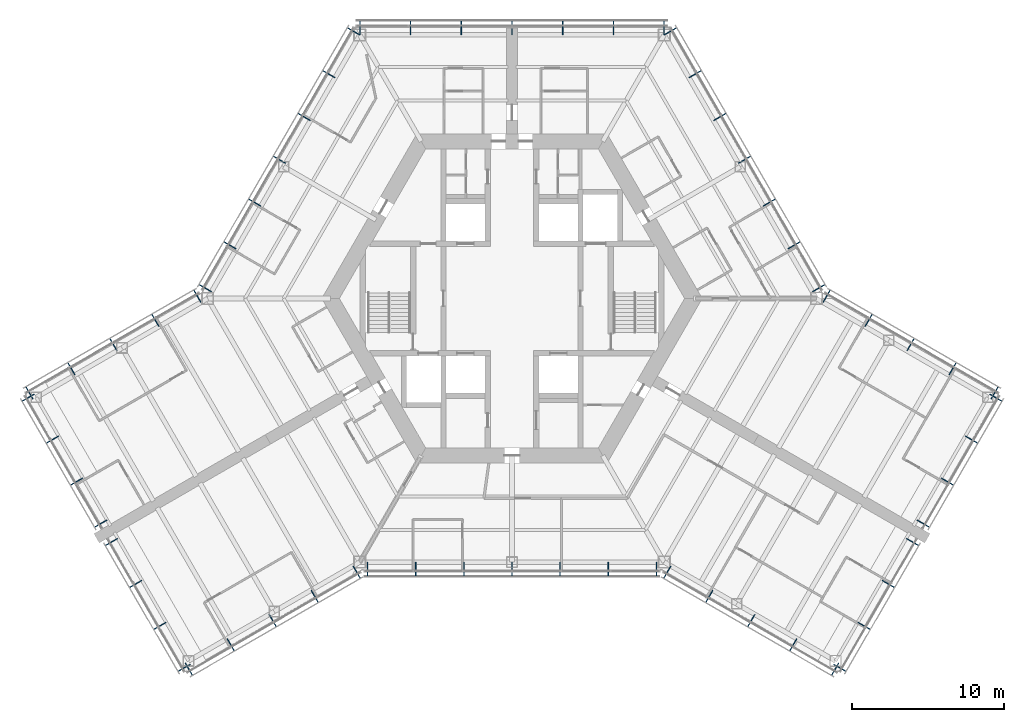
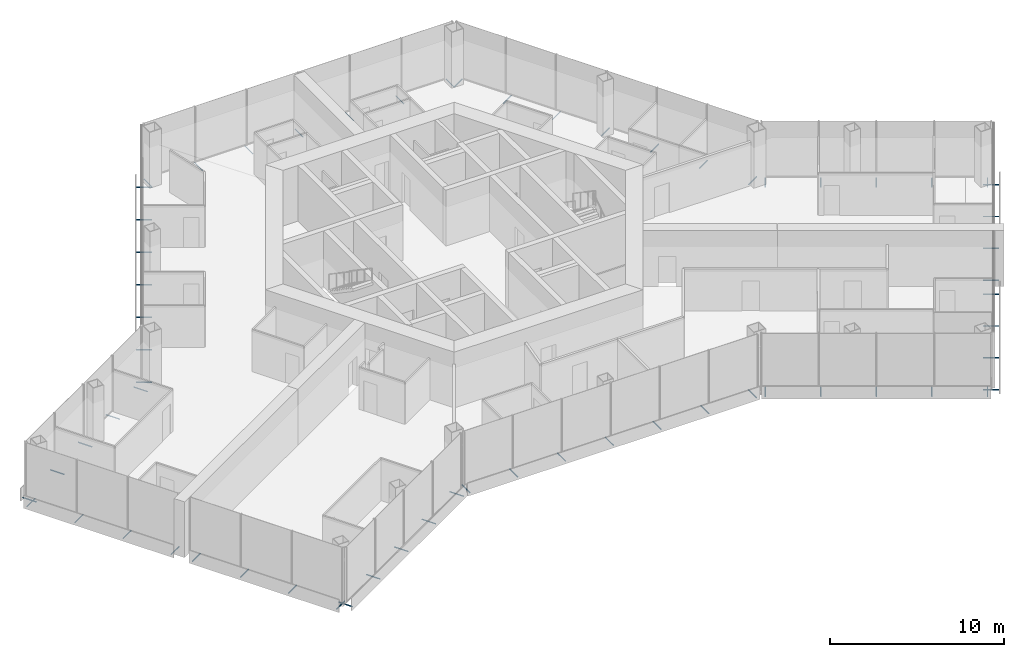
# One storey, part 16 of 18: 64 discrete accessories.
"""IFC4 building model written with IfcOpenShell, lengths in metres."""

import ifcopenshell
import ifcopenshell.guid

model = None  # the IFC model being written
_history = None  # IfcOwnerHistory: only IFC2X3 demands one
_inside = {}  # id of a spatial element -> (the spatial element, [elements in it])
_under = {}  # id of a project, library or spatial element -> (it, [spatial elements below it])
_declared = {}  # id of a project -> (the project, [libraries it declares])
_typed = {}  # id of a type object -> (the type object, [elements of that type])
_made_of = {}  # id of a material, layer set ... -> (it, [elements and type objects made of it])


def new_model(schema):
    """Start an empty IFC model of exactly this schema.

    Asked for "IFC4X3", IfcOpenShell would pick the latest addendum, in which some entities
    have other attributes; the version numbers below select the first issue.
    IFC2X3 requires an IfcOwnerHistory on every rooted entity: one is made here for all.
    """
    global model, _history
    if schema == "IFC4X3":
        model = ifcopenshell.file(schema_version=(4, 3, 0, 0))
    else:
        model = ifcopenshell.file(schema=schema)
    _inside.clear()
    _under.clear()
    _declared.clear()
    _typed.clear()
    _made_of.clear()
    _history = None
    if model.schema == "IFC2X3":
        org = make("IfcOrganization", Name="unknown")
        user = make(
            "IfcPersonAndOrganization",
            ThePerson=make("IfcPerson", FamilyName="unknown"),
            TheOrganization=org,
        )
        app = make(
            "IfcApplication",
            ApplicationDeveloper=org,
            Version="unknown",
            ApplicationFullName="unknown",
            ApplicationIdentifier="unknown",
        )
        _history = make(
            "IfcOwnerHistory",
            OwningUser=user,
            OwningApplication=app,
            ChangeAction="ADDED",
            CreationDate=0,
        )
    return model


def make(cls, **values):
    """One entity of the class cls with the attributes given. An attribute that is None is left unset."""
    return model.create_entity(
        cls, **{name: value for name, value in values.items() if value is not None}
    )


def rooted(cls, **values):
    """An entity with a GlobalId (a new one), such as an element, a storey or a relation."""
    return make(cls, GlobalId=ifcopenshell.guid.new(), OwnerHistory=_history, **values)


def si_unit(unit_type, name, prefix=None):
    """IfcSIUnit, for example si_unit("LENGTHUNIT", "METRE", prefix="MILLI")."""
    return make("IfcSIUnit", UnitType=unit_type, Prefix=prefix, Name=name)


def assignment(units):
    """IfcUnitAssignment: the units of a project."""
    return None if units is None else make("IfcUnitAssignment", Units=units)


def point(xyz):
    """IfcCartesianPoint."""
    return None if xyz is None else make("IfcCartesianPoint", Coordinates=xyz)


def direction(xyz):
    """IfcDirection."""
    return None if xyz is None else make("IfcDirection", DirectionRatios=xyz)


def frame(location, z_axis=None, x_axis=None):
    """IfcAxis2Placement3D, a coordinate frame: its origin and axes. An axis left out is left unset."""
    return make(
        "IfcAxis2Placement3D",
        Location=point(location),
        Axis=direction(z_axis),
        RefDirection=direction(x_axis),
    )


def frame_2d(location, x_axis=None):
    """IfcAxis2Placement2D, a coordinate frame in the plane: its origin and x axis."""
    return make(
        "IfcAxis2Placement2D", Location=point(location), RefDirection=direction(x_axis)
    )


def origin():
    """The frame at (0, 0, 0) with its axes left unset."""
    return frame((0.0, 0.0, 0.0))


def origin_2d():
    """The frame at (0, 0) in the plane with its x axis left unset."""
    return frame_2d((0.0, 0.0))


def place(relative_to, where):
    """IfcLocalPlacement: puts the frame where relative to a parent placement (None: the world)."""
    return make(
        "IfcLocalPlacement", PlacementRelTo=relative_to, RelativePlacement=where
    )


def context(
    kind, dimensions, precision=None, world=None, true_north=None, identifier=None
):
    """IfcGeometricRepresentationContext, for example the 3D "Model" context."""
    return make(
        "IfcGeometricRepresentationContext",
        ContextIdentifier=identifier,
        ContextType=kind,
        CoordinateSpaceDimension=dimensions,
        Precision=precision,
        WorldCoordinateSystem=world,
        TrueNorth=true_north,
    )


def subcontext(parent, identifier, kind, view, scale=None):
    """IfcGeometricRepresentationSubContext, for example "Body" below "Model"."""
    return make(
        "IfcGeometricRepresentationSubContext",
        ContextIdentifier=identifier,
        ContextType=kind,
        ParentContext=parent,
        TargetScale=scale,
        TargetView=view,
    )


def project(units=None, contexts=None):
    """IfcProject with its units and contexts."""
    return rooted(
        "IfcProject",
        Name="project",
        RepresentationContexts=contexts,
        UnitsInContext=assignment(units),
    )


def spatial(cls, under=None, at=None, **own):
    """A site, building, storey or space (cls), placed at a placement, below another one or the project."""
    s = rooted(cls, ObjectPlacement=at, **own)
    if under is not None:
        _under.setdefault(under.id(), (under, []))[1].append(s)
    return s


def profile(cls, at=None, kind="AREA", **sizes):
    """A parametric profile (cls). Its sizes go by their IFC names, for example OverallWidth=200.0."""
    return make(cls, ProfileType=kind, Position=at, **sizes)


def hollow_circle(**sizes):
    """IfcCircleHollowProfileDef."""
    return profile("IfcCircleHollowProfileDef", **sizes)


def extrude(swept, where, along, depth):
    """IfcExtrudedAreaSolid: the profile swept, set in the frame where, extruded along a direction by depth."""
    return make(
        "IfcExtrudedAreaSolid",
        SweptArea=swept,
        Position=where,
        ExtrudedDirection=direction(along),
        Depth=depth,
    )


def shape(context_of_items, identifier, shape_type, items):
    """IfcShapeRepresentation: the items that make up one representation, for example the "Body"."""
    return make(
        "IfcShapeRepresentation",
        ContextOfItems=context_of_items,
        RepresentationIdentifier=identifier,
        RepresentationType=shape_type,
        Items=items,
    )


def material(Name=None, Category=None):
    """IfcMaterial."""
    return make("IfcMaterial", Name=Name, Category=Category)


def material_profile(
    of_material, cross_section, Name=None, Category=None, Priority=None
):
    """IfcMaterialProfile: a cross section and its material."""
    return make(
        "IfcMaterialProfile",
        Name=Name,
        Material=of_material,
        Profile=cross_section,
        Priority=Priority,
        Category=Category,
    )


def profile_set(profiles, Name=None, composite=None):
    """IfcMaterialProfileSet."""
    return make(
        "IfcMaterialProfileSet",
        Name=Name,
        MaterialProfiles=profiles,
        CompositeProfile=composite,
    )


def made_of(thing, what):
    """Note that an element or type object is made of a material, layer set ...; save() writes the relation."""
    if what is not None:
        _made_of.setdefault(what.id(), (what, []))[1].append(thing)
    return thing


def type_object(cls, material=None, **own):
    """A type object (cls), such as IfcWallType, which elements share."""
    return made_of(rooted(cls, **own), material)


def element(
    cls,
    number,
    at=None,
    inside=None,
    cuts=None,
    type_object=None,
    material=None,
    context=None,
    identifier="Body",
    shape_type=None,
    held_by="IfcProductDefinitionShape",
    body=None,
    shapes=None,
    **own,
):
    """One element of the class cls, such as IfcWall. Its Tag is "e" and its number.

    at: its placement. inside: the storey or other place that contains it. cuts: it is an
    opening in that element (IfcRelVoidsElement). A single representation is given by context,
    identifier, shape_type and body (its items); several are given by shapes. held_by: the class
    of the entity that holds the representations. save() writes the other relations.
    """
    e = rooted(cls, Tag="e%d" % number, ObjectPlacement=at, **own)
    if body is not None:
        shapes = [shape(context, identifier, shape_type, body)]
    if shapes is not None:
        e.Representation = make(held_by, Representations=shapes)
    if inside is not None:
        _inside.setdefault(inside.id(), (inside, []))[1].append(e)
    if cuts is not None:
        rooted(
            "IfcRelVoidsElement", RelatingBuildingElement=cuts, RelatedOpeningElement=e
        )
    if type_object is not None:
        _typed.setdefault(type_object.id(), (type_object, []))[1].append(e)
    return made_of(e, material)


def aggregate(whole, parts):
    """IfcRelAggregates: a whole, such as a stair, and the parts it consists of."""
    return rooted("IfcRelAggregates", RelatingObject=whole, RelatedObjects=parts)


def save(model, path):
    """Write the relations noted so far, then the file.

    IfcRelAggregates (storeys below a building ...), IfcRelContainedInSpatialStructure (elements
    in a storey), IfcRelDefinesByType, IfcRelAssociatesMaterial and IfcRelDeclares: one each for
    every whole, place, type object, material and project.
    """
    for whole, parts in _under.values():
        aggregate(whole, parts)
    for where, things in _inside.values():
        rooted(
            "IfcRelContainedInSpatialStructure",
            RelatedElements=things,
            RelatingStructure=where,
        )
    for kind, things in _typed.values():
        rooted("IfcRelDefinesByType", RelatedObjects=things, RelatingType=kind)
    for what, things in _made_of.values():
        rooted("IfcRelAssociatesMaterial", RelatedObjects=things, RelatingMaterial=what)
    for by, libraries in _declared.values():
        rooted("IfcRelDeclares", RelatingContext=by, RelatedDefinitions=libraries)
    model.write(path)


model = new_model("IFC4")

# Units and contexts
model_context = context("Model", 3, precision=1e-05, world=origin(), true_north=direction((0.0, 1.0)))
body_context = subcontext(model_context, "Body", "Model", "MODEL_VIEW")
ifc_project = project(units=[si_unit("LENGTHUNIT", "METRE"), si_unit("AREAUNIT", "SQUARE_METRE"), si_unit("VOLUMEUNIT", "CUBIC_METRE"), si_unit("PLANEANGLEUNIT", "RADIAN"), si_unit("MASSUNIT", "GRAM", prefix="KILO")], contexts=[model_context])

# Site, building, storey
site_placement = place(None, origin())
site = spatial("IfcSite", under=ifc_project, at=site_placement, CompositionType="ELEMENT")
building_placement = place(site_placement, origin())
building = spatial("IfcBuilding", under=site, at=building_placement, Name="Kasaneha Research Tower", CompositionType="ELEMENT")
storey_placement = place(building_placement, frame((0.0, 0.0, 176.0)))
storey = spatial("IfcBuildingStorey", under=building, at=storey_placement, Name="L44", CompositionType="ELEMENT", Elevation=176.0)

# Discrete accessories
ifc_material = material(Name="Steel STK400", Category="steel")
ifc_material_profile = material_profile(ifc_material, hollow_circle(Radius=0.0380859375, WallThickness=0.00390625, at=origin_2d()), Name="CHS-76.3x4.0")
ifc_profile_set = profile_set([ifc_material_profile], Name="Steel STK400")
discrete_accessory_type = type_object("IfcDiscreteAccessoryType", Name="Screen bracket CHS-76.3x4.0", PredefinedType="BRACKET", material=ifc_profile_set)
for number, where, z_axis, x_axis, name in (
    (1, (-9.4892578125, -17.320556640625, -0.300048828125), (0.0, -1.0, 0.0), (1.0, 0.0, 0.0), "Screen bracket 1"),
    (2, (-6.326171875, -17.320556640625, -0.300048828125), (0.0, -1.0, 0.0), (1.0, 0.0, 0.0), "Screen bracket 2"),
    (3, (-3.1630859375, -17.320556640625, -0.300048828125), (0.0, -1.0, 0.0), (1.0, 0.0, 0.0), "Screen bracket 3"),
    (4, (0.0, -17.320556640625, -0.300048828125), (0.0, -1.0, 0.0), (1.0, 0.0, 0.0), "Screen bracket 4"),
    (5, (3.1630859375, -17.320556640625, -0.300048828125), (0.0, -1.0, 0.0), (1.0, 0.0, 0.0), "Screen bracket 5"),
    (6, (6.326171875, -17.320556640625, -0.300048828125), (0.0, -1.0, 0.0), (1.0, 0.0, 0.0), "Screen bracket 6"),
    (7, (9.4892578125, -17.320556640625, -0.300048828125), (0.0, -1.0, 0.0), (1.0, 0.0, 0.0), "Screen bracket 7"),
    (8, (10.4423828125, -17.575927734375, -0.300048828125), (-0.500021113727, -0.866013213425, 0.0), (0.866013213425, -0.500021113727, 0.0), "Screen bracket 1"),
):
    element("IfcDiscreteAccessory", number, at=place(storey_placement, frame(where, z_axis=z_axis, x_axis=x_axis)), inside=storey, type_object=discrete_accessory_type, Name=name, PredefinedType="BRACKET", context=body_context, shape_type="SweptSolid", body=[
        extrude(hollow_circle(Radius=0.0380859375, WallThickness=0.00390625, at=origin_2d()), origin(), (0.0, 0.0, 1.0), 0.919921875),
    ])
discrete_accessory_1_placement = place(storey_placement, frame((13.200439453125, -19.168212890625, -0.300048828125), z_axis=(-0.499906209203, -0.866079547155, 0.0), x_axis=(0.866079547155, -0.499906209203, 0.0)))
element("IfcDiscreteAccessory", 9, at=discrete_accessory_1_placement, inside=storey, type_object=discrete_accessory_type, Name="Screen bracket 2", PredefinedType="BRACKET", context=body_context, shape_type="SweptSolid", body=[
    extrude(hollow_circle(Radius=0.0380859375, WallThickness=0.00390625, at=origin_2d()), origin(), (0.0, 0.0, 1.0), 0.920166015625),
])
discrete_accessory_2_placement = place(storey_placement, frame((15.95849609375, -20.7607421875, -0.300048828125), z_axis=(-0.500021113727, -0.866013213425, 0.0), x_axis=(0.866013213425, -0.500021113727, 0.0)))
element("IfcDiscreteAccessory", 10, at=discrete_accessory_2_placement, inside=storey, type_object=discrete_accessory_type, Name="Screen bracket 3", PredefinedType="BRACKET", context=body_context, shape_type="SweptSolid", body=[
    extrude(hollow_circle(Radius=0.0380859375, WallThickness=0.00390625, at=origin_2d()), origin(), (0.0, 0.0, 1.0), 0.919921875),
])
discrete_accessory_3_placement = place(storey_placement, frame((18.716796875, -22.35302734375, -0.300048828125), z_axis=(-0.500105201737, -0.865964657013, 0.0), x_axis=(0.865964657013, -0.500105201737, 0.0)))
element("IfcDiscreteAccessory", 11, at=discrete_accessory_3_placement, inside=storey, type_object=discrete_accessory_type, Name="Screen bracket 4", PredefinedType="BRACKET", context=body_context, shape_type="SweptSolid", body=[
    extrude(hollow_circle(Radius=0.0380859375, WallThickness=0.00390625, at=origin_2d()), origin(), (0.0, 0.0, 1.0), 0.920166015625),
])
discrete_accessory_4_placement = place(storey_placement, frame((21.474853515625, -23.945556640625, -0.300048828125), z_axis=(-0.500021113727, -0.866013213425, 0.0), x_axis=(0.866013213425, -0.500021113727, 0.0)))
element("IfcDiscreteAccessory", 12, at=discrete_accessory_4_placement, inside=storey, type_object=discrete_accessory_type, Name="Screen bracket 5", PredefinedType="BRACKET", context=body_context, shape_type="SweptSolid", body=[
    extrude(hollow_circle(Radius=0.0380859375, WallThickness=0.00390625, at=origin_2d()), origin(), (0.0, 0.0, 1.0), 0.919921875),
])
discrete_accessory_5_placement = place(storey_placement, frame((21.13330078125, -24.037109375, -0.300048828125), z_axis=(0.866079547155, -0.499906209203, 0.0), x_axis=(0.499906209203, 0.866079547155, 0.0)))
element("IfcDiscreteAccessory", 13, at=discrete_accessory_5_placement, inside=storey, type_object=discrete_accessory_type, Name="Screen bracket 1", PredefinedType="BRACKET", context=body_context, shape_type="SweptSolid", body=[
    extrude(hollow_circle(Radius=0.0380859375, WallThickness=0.00390625, at=origin_2d()), origin(), (0.0, 0.0, 1.0), 0.920166015625),
])
discrete_accessory_6_placement = place(storey_placement, frame((22.72509765625, -21.2802734375, -0.300048828125), z_axis=(0.866013213425, -0.500021113727, 0.0), x_axis=(0.500021113727, 0.866013213425, 0.0)))
element("IfcDiscreteAccessory", 14, at=discrete_accessory_6_placement, inside=storey, type_object=discrete_accessory_type, Name="Screen bracket 2", PredefinedType="BRACKET", context=body_context, shape_type="SweptSolid", body=[
    extrude(hollow_circle(Radius=0.0380859375, WallThickness=0.00390625, at=origin_2d()), origin(), (0.0, 0.0, 1.0), 0.919921875),
])
discrete_accessory_7_placement = place(storey_placement, frame((24.316650390625, -18.5234375, -0.300048828125), z_axis=(0.866079547155, -0.499906209203, 0.0), x_axis=(0.499906209203, 0.866079547155, 0.0)))
element("IfcDiscreteAccessory", 15, at=discrete_accessory_7_placement, inside=storey, type_object=discrete_accessory_type, Name="Screen bracket 3", PredefinedType="BRACKET", context=body_context, shape_type="SweptSolid", body=[
    extrude(hollow_circle(Radius=0.0380859375, WallThickness=0.00390625, at=origin_2d()), origin(), (0.0, 0.0, 1.0), 0.920166015625),
])
for number, where, z_axis, x_axis, name in (
    (16, (25.908447265625, -15.766357421875, -0.300048828125), (0.865898279276, -0.500220121494, 0.0), (0.500220121494, 0.865898279276, 0.0), "Screen bracket 4"),
    (17, (26.6083984375, -14.553955078125, -0.300048828125), (0.866013213425, -0.500021113727, 0.0), (0.500021113727, 0.866013213425, 0.0), "Screen bracket 1"),
):
    element("IfcDiscreteAccessory", number, at=place(storey_placement, frame(where, z_axis=z_axis, x_axis=x_axis)), inside=storey, type_object=discrete_accessory_type, Name=name, PredefinedType="BRACKET", context=body_context, shape_type="SweptSolid", body=[
        extrude(hollow_circle(Radius=0.0380859375, WallThickness=0.00390625, at=origin_2d()), origin(), (0.0, 0.0, 1.0), 0.919921875),
    ])
discrete_accessory_8_placement = place(storey_placement, frame((28.199951171875, -11.797119140625, -0.300048828125), z_axis=(0.866079547155, -0.499906209203, 0.0), x_axis=(0.499906209203, 0.866079547155, 0.0)))
element("IfcDiscreteAccessory", 18, at=discrete_accessory_8_placement, inside=storey, type_object=discrete_accessory_type, Name="Screen bracket 2", PredefinedType="BRACKET", context=body_context, shape_type="SweptSolid", body=[
    extrude(hollow_circle(Radius=0.0380859375, WallThickness=0.00390625, at=origin_2d()), origin(), (0.0, 0.0, 1.0), 0.920166015625),
])
discrete_accessory_9_placement = place(storey_placement, frame((29.791748046875, -9.040283203125, -0.300048828125), z_axis=(0.866013213425, -0.500021113727, 0.0), x_axis=(0.500021113727, 0.866013213425, 0.0)))
element("IfcDiscreteAccessory", 19, at=discrete_accessory_9_placement, inside=storey, type_object=discrete_accessory_type, Name="Screen bracket 3", PredefinedType="BRACKET", context=body_context, shape_type="SweptSolid", body=[
    extrude(hollow_circle(Radius=0.0380859375, WallThickness=0.00390625, at=origin_2d()), origin(), (0.0, 0.0, 1.0), 0.919921875),
])
discrete_accessory_10_placement = place(storey_placement, frame((31.38330078125, -6.283447265625, -0.300048828125), z_axis=(0.866079547155, -0.499906209203, 0.0), x_axis=(0.499906209203, 0.866079547155, 0.0)))
element("IfcDiscreteAccessory", 20, at=discrete_accessory_10_placement, inside=storey, type_object=discrete_accessory_type, Name="Screen bracket 4", PredefinedType="BRACKET", context=body_context, shape_type="SweptSolid", body=[
    extrude(hollow_circle(Radius=0.0380859375, WallThickness=0.00390625, at=origin_2d()), origin(), (0.0, 0.0, 1.0), 0.920166015625),
])
discrete_accessory_11_placement = place(storey_placement, frame((31.474853515625, -6.625, -0.300048828125), z_axis=(0.500021113727, 0.866013213425, 0.0), x_axis=(-0.866013213425, 0.500021113727, 0.0)))
element("IfcDiscreteAccessory", 21, at=discrete_accessory_11_placement, inside=storey, type_object=discrete_accessory_type, Name="Screen bracket 1", PredefinedType="BRACKET", context=body_context, shape_type="SweptSolid", body=[
    extrude(hollow_circle(Radius=0.0380859375, WallThickness=0.00390625, at=origin_2d()), origin(), (0.0, 0.0, 1.0), 0.919921875),
])
discrete_accessory_12_placement = place(storey_placement, frame((28.716796875, -5.03271484375, -0.300048828125), z_axis=(0.499906209203, 0.866079547155, 0.0), x_axis=(-0.866079547155, 0.499906209203, 0.0)))
element("IfcDiscreteAccessory", 22, at=discrete_accessory_12_placement, inside=storey, type_object=discrete_accessory_type, Name="Screen bracket 2", PredefinedType="BRACKET", context=body_context, shape_type="SweptSolid", body=[
    extrude(hollow_circle(Radius=0.0380859375, WallThickness=0.00390625, at=origin_2d()), origin(), (0.0, 0.0, 1.0), 0.920166015625),
])
discrete_accessory_13_placement = place(storey_placement, frame((25.95849609375, -3.440185546875, -0.300048828125), z_axis=(0.500220121494, 0.865898279276, 0.0), x_axis=(-0.865898279276, 0.500220121494, 0.0)))
element("IfcDiscreteAccessory", 23, at=discrete_accessory_13_placement, inside=storey, type_object=discrete_accessory_type, Name="Screen bracket 3", PredefinedType="BRACKET", context=body_context, shape_type="SweptSolid", body=[
    extrude(hollow_circle(Radius=0.0380859375, WallThickness=0.00390625, at=origin_2d()), origin(), (0.0, 0.0, 1.0), 0.919921875),
])
discrete_accessory_14_placement = place(storey_placement, frame((23.200439453125, -1.847900390625, -0.300048828125), z_axis=(0.499906209203, 0.866079547155, 0.0), x_axis=(-0.866079547155, 0.499906209203, 0.0)))
element("IfcDiscreteAccessory", 24, at=discrete_accessory_14_placement, inside=storey, type_object=discrete_accessory_type, Name="Screen bracket 4", PredefinedType="BRACKET", context=body_context, shape_type="SweptSolid", body=[
    extrude(hollow_circle(Radius=0.0380859375, WallThickness=0.00390625, at=origin_2d()), origin(), (0.0, 0.0, 1.0), 0.920166015625),
])
for number, where, z_axis, x_axis, name in (
    (25, (20.4423828125, -0.25537109375, -0.300048828125), (0.500021113727, 0.866013213425, 0.0), (-0.866013213425, 0.500021113727, 0.0), "Screen bracket 5"),
    (26, (19.74462890625, 0.4423828125, -0.300048828125), (0.866013213425, 0.500021113727, 0.0), (-0.500021113727, 0.866013213425, 0.0), "Screen bracket 1"),
    (27, (18.120849609375, 3.2548828125, -0.300048828125), (0.866013213425, 0.500021113727, 0.0), (-0.500021113727, 0.866013213425, 0.0), "Screen bracket 2"),
    (28, (16.4970703125, 6.0673828125, -0.300048828125), (0.866013213425, 0.500021113727, 0.0), (-0.500021113727, 0.866013213425, 0.0), "Screen bracket 3"),
    (29, (14.873291015625, 8.8798828125, -0.300048828125), (0.866013213425, 0.500021113727, 0.0), (-0.500021113727, 0.866013213425, 0.0), "Screen bracket 4"),
    (30, (13.24951171875, 11.6923828125, -0.300048828125), (0.866013213425, 0.500021113727, 0.0), (-0.500021113727, 0.866013213425, 0.0), "Screen bracket 5"),
):
    element("IfcDiscreteAccessory", number, at=place(storey_placement, frame(where, z_axis=z_axis, x_axis=x_axis)), inside=storey, type_object=discrete_accessory_type, Name=name, PredefinedType="BRACKET", context=body_context, shape_type="SweptSolid", body=[
        extrude(hollow_circle(Radius=0.0380859375, WallThickness=0.00390625, at=origin_2d()), origin(), (0.0, 0.0, 1.0), 0.919921875),
    ])
for number, where, z_axis, x_axis, name in (
    (31, (11.62548828125, 14.5048828125, -0.300048828125), (0.866079547155, 0.499906209203, 0.0), (-0.499906209203, 0.866079547155, 0.0), "Screen bracket 6"),
    (32, (10.001708984375, 17.3173828125, -0.300048828125), (0.866079547155, 0.499906209203, 0.0), (-0.499906209203, 0.866079547155, 0.0), "Screen bracket 7"),
):
    element("IfcDiscreteAccessory", number, at=place(storey_placement, frame(where, z_axis=z_axis, x_axis=x_axis)), inside=storey, type_object=discrete_accessory_type, Name=name, PredefinedType="BRACKET", context=body_context, shape_type="SweptSolid", body=[
        extrude(hollow_circle(Radius=0.0380859375, WallThickness=0.00390625, at=origin_2d()), origin(), (0.0, 0.0, 1.0), 0.920166015625),
    ])
for number, where, z_axis, x_axis, name in (
    (33, (9.996337890625, 17.320556640625, -0.300048828125), (0.0, 1.0, 0.0), (-1.0, 0.0, 0.0), "Screen bracket 1"),
    (34, (6.664306640625, 17.320556640625, -0.300048828125), (0.0, 1.0, 0.0), (-1.0, 0.0, 0.0), "Screen bracket 2"),
    (35, (3.33203125, 17.320556640625, -0.300048828125), (0.0, 1.0, 0.0), (-1.0, 0.0, 0.0), "Screen bracket 3"),
    (36, (0.0, 17.320556640625, -0.300048828125), (0.0, 1.0, 0.0), (-1.0, 0.0, 0.0), "Screen bracket 4"),
    (37, (-3.33203125, 17.320556640625, -0.300048828125), (0.0, 1.0, 0.0), (-1.0, 0.0, 0.0), "Screen bracket 5"),
    (38, (-6.664306640625, 17.320556640625, -0.300048828125), (0.0, 1.0, 0.0), (-1.0, 0.0, 0.0), "Screen bracket 6"),
    (39, (-9.996337890625, 17.320556640625, -0.300048828125), (0.0, 1.0, 0.0), (-1.0, 0.0, 0.0), "Screen bracket 7"),
):
    element("IfcDiscreteAccessory", number, at=place(storey_placement, frame(where, z_axis=z_axis, x_axis=x_axis)), inside=storey, type_object=discrete_accessory_type, Name=name, PredefinedType="BRACKET", context=body_context, shape_type="SweptSolid", body=[
        extrude(hollow_circle(Radius=0.0380859375, WallThickness=0.00390625, at=origin_2d()), origin(), (0.0, 0.0, 1.0), 0.919921875),
    ])
for number, where, z_axis, x_axis, name in (
    (40, (-10.001708984375, 17.3173828125, -0.300048828125), (-0.866079547155, 0.499906209203, 0.0), (-0.499906209203, -0.866079547155, 0.0), "Screen bracket 1"),
    (41, (-11.62548828125, 14.5048828125, -0.300048828125), (-0.866079547155, 0.499906209203, 0.0), (-0.499906209203, -0.866079547155, 0.0), "Screen bracket 2"),
):
    element("IfcDiscreteAccessory", number, at=place(storey_placement, frame(where, z_axis=z_axis, x_axis=x_axis)), inside=storey, type_object=discrete_accessory_type, Name=name, PredefinedType="BRACKET", context=body_context, shape_type="SweptSolid", body=[
        extrude(hollow_circle(Radius=0.0380859375, WallThickness=0.00390625, at=origin_2d()), origin(), (0.0, 0.0, 1.0), 0.920166015625),
    ])
for number, where, z_axis, x_axis, name in (
    (42, (-13.24951171875, 11.6923828125, -0.300048828125), (-0.866013213425, 0.500021113727, 0.0), (-0.500021113727, -0.866013213425, 0.0), "Screen bracket 3"),
    (43, (-14.873291015625, 8.8798828125, -0.300048828125), (-0.866013213425, 0.500021113727, 0.0), (-0.500021113727, -0.866013213425, 0.0), "Screen bracket 4"),
    (44, (-16.4970703125, 6.0673828125, -0.300048828125), (-0.866013213425, 0.500021113727, 0.0), (-0.500021113727, -0.866013213425, 0.0), "Screen bracket 5"),
    (45, (-18.120849609375, 3.2548828125, -0.300048828125), (-0.866013213425, 0.500021113727, 0.0), (-0.500021113727, -0.866013213425, 0.0), "Screen bracket 6"),
    (46, (-19.74462890625, 0.4423828125, -0.300048828125), (-0.866013213425, 0.500021113727, 0.0), (-0.500021113727, -0.866013213425, 0.0), "Screen bracket 7"),
    (47, (-20.4423828125, -0.25537109375, -0.300048828125), (-0.500021113727, 0.866013213425, 0.0), (-0.866013213425, -0.500021113727, 0.0), "Screen bracket 1"),
):
    element("IfcDiscreteAccessory", number, at=place(storey_placement, frame(where, z_axis=z_axis, x_axis=x_axis)), inside=storey, type_object=discrete_accessory_type, Name=name, PredefinedType="BRACKET", context=body_context, shape_type="SweptSolid", body=[
        extrude(hollow_circle(Radius=0.0380859375, WallThickness=0.00390625, at=origin_2d()), origin(), (0.0, 0.0, 1.0), 0.919921875),
    ])
discrete_accessory_15_placement = place(storey_placement, frame((-23.200439453125, -1.847900390625, -0.300048828125), z_axis=(-0.499906209203, 0.866079547155, 0.0), x_axis=(-0.866079547155, -0.499906209203, 0.0)))
element("IfcDiscreteAccessory", 48, at=discrete_accessory_15_placement, inside=storey, type_object=discrete_accessory_type, Name="Screen bracket 2", PredefinedType="BRACKET", context=body_context, shape_type="SweptSolid", body=[
    extrude(hollow_circle(Radius=0.0380859375, WallThickness=0.00390625, at=origin_2d()), origin(), (0.0, 0.0, 1.0), 0.920166015625),
])
discrete_accessory_16_placement = place(storey_placement, frame((-25.95849609375, -3.440185546875, -0.300048828125), z_axis=(-0.500220121494, 0.865898279276, 0.0), x_axis=(-0.865898279276, -0.500220121494, 0.0)))
element("IfcDiscreteAccessory", 49, at=discrete_accessory_16_placement, inside=storey, type_object=discrete_accessory_type, Name="Screen bracket 3", PredefinedType="BRACKET", context=body_context, shape_type="SweptSolid", body=[
    extrude(hollow_circle(Radius=0.0380859375, WallThickness=0.00390625, at=origin_2d()), origin(), (0.0, 0.0, 1.0), 0.919921875),
])
discrete_accessory_17_placement = place(storey_placement, frame((-28.716796875, -5.03271484375, -0.300048828125), z_axis=(-0.499906209203, 0.866079547155, 0.0), x_axis=(-0.866079547155, -0.499906209203, 0.0)))
element("IfcDiscreteAccessory", 50, at=discrete_accessory_17_placement, inside=storey, type_object=discrete_accessory_type, Name="Screen bracket 4", PredefinedType="BRACKET", context=body_context, shape_type="SweptSolid", body=[
    extrude(hollow_circle(Radius=0.0380859375, WallThickness=0.00390625, at=origin_2d()), origin(), (0.0, 0.0, 1.0), 0.920166015625),
])
discrete_accessory_18_placement = place(storey_placement, frame((-31.474853515625, -6.625, -0.300048828125), z_axis=(-0.500021113727, 0.866013213425, 0.0), x_axis=(-0.866013213425, -0.500021113727, 0.0)))
element("IfcDiscreteAccessory", 51, at=discrete_accessory_18_placement, inside=storey, type_object=discrete_accessory_type, Name="Screen bracket 5", PredefinedType="BRACKET", context=body_context, shape_type="SweptSolid", body=[
    extrude(hollow_circle(Radius=0.0380859375, WallThickness=0.00390625, at=origin_2d()), origin(), (0.0, 0.0, 1.0), 0.919921875),
])
discrete_accessory_19_placement = place(storey_placement, frame((-31.38330078125, -6.283447265625, -0.300048828125), z_axis=(-0.866079547155, -0.499906209203, 0.0), x_axis=(0.499906209203, -0.866079547155, 0.0)))
element("IfcDiscreteAccessory", 52, at=discrete_accessory_19_placement, inside=storey, type_object=discrete_accessory_type, Name="Screen bracket 1", PredefinedType="BRACKET", context=body_context, shape_type="SweptSolid", body=[
    extrude(hollow_circle(Radius=0.0380859375, WallThickness=0.00390625, at=origin_2d()), origin(), (0.0, 0.0, 1.0), 0.920166015625),
])
discrete_accessory_20_placement = place(storey_placement, frame((-29.791748046875, -9.040283203125, -0.300048828125), z_axis=(-0.866013213425, -0.500021113727, 0.0), x_axis=(0.500021113727, -0.866013213425, 0.0)))
element("IfcDiscreteAccessory", 53, at=discrete_accessory_20_placement, inside=storey, type_object=discrete_accessory_type, Name="Screen bracket 2", PredefinedType="BRACKET", context=body_context, shape_type="SweptSolid", body=[
    extrude(hollow_circle(Radius=0.0380859375, WallThickness=0.00390625, at=origin_2d()), origin(), (0.0, 0.0, 1.0), 0.919921875),
])
discrete_accessory_21_placement = place(storey_placement, frame((-28.199951171875, -11.797119140625, -0.300048828125), z_axis=(-0.866079547155, -0.499906209203, 0.0), x_axis=(0.499906209203, -0.866079547155, 0.0)))
element("IfcDiscreteAccessory", 54, at=discrete_accessory_21_placement, inside=storey, type_object=discrete_accessory_type, Name="Screen bracket 3", PredefinedType="BRACKET", context=body_context, shape_type="SweptSolid", body=[
    extrude(hollow_circle(Radius=0.0380859375, WallThickness=0.00390625, at=origin_2d()), origin(), (0.0, 0.0, 1.0), 0.920166015625),
])
for number, where, z_axis, x_axis, name in (
    (55, (-26.6083984375, -14.553955078125, -0.300048828125), (-0.866013213425, -0.500021113727, 0.0), (0.500021113727, -0.866013213425, 0.0), "Screen bracket 4"),
    (56, (-25.908447265625, -15.766357421875, -0.300048828125), (-0.865898279276, -0.500220121494, 0.0), (0.500220121494, -0.865898279276, 0.0), "Screen bracket 1"),
):
    element("IfcDiscreteAccessory", number, at=place(storey_placement, frame(where, z_axis=z_axis, x_axis=x_axis)), inside=storey, type_object=discrete_accessory_type, Name=name, PredefinedType="BRACKET", context=body_context, shape_type="SweptSolid", body=[
        extrude(hollow_circle(Radius=0.0380859375, WallThickness=0.00390625, at=origin_2d()), origin(), (0.0, 0.0, 1.0), 0.919921875),
    ])
discrete_accessory_22_placement = place(storey_placement, frame((-24.316650390625, -18.5234375, -0.300048828125), z_axis=(-0.866079547155, -0.499906209203, 0.0), x_axis=(0.499906209203, -0.866079547155, 0.0)))
element("IfcDiscreteAccessory", 57, at=discrete_accessory_22_placement, inside=storey, type_object=discrete_accessory_type, Name="Screen bracket 2", PredefinedType="BRACKET", context=body_context, shape_type="SweptSolid", body=[
    extrude(hollow_circle(Radius=0.0380859375, WallThickness=0.00390625, at=origin_2d()), origin(), (0.0, 0.0, 1.0), 0.920166015625),
])
discrete_accessory_23_placement = place(storey_placement, frame((-22.72509765625, -21.2802734375, -0.300048828125), z_axis=(-0.866013213425, -0.500021113727, 0.0), x_axis=(0.500021113727, -0.866013213425, 0.0)))
element("IfcDiscreteAccessory", 58, at=discrete_accessory_23_placement, inside=storey, type_object=discrete_accessory_type, Name="Screen bracket 3", PredefinedType="BRACKET", context=body_context, shape_type="SweptSolid", body=[
    extrude(hollow_circle(Radius=0.0380859375, WallThickness=0.00390625, at=origin_2d()), origin(), (0.0, 0.0, 1.0), 0.919921875),
])
discrete_accessory_24_placement = place(storey_placement, frame((-21.13330078125, -24.037109375, -0.300048828125), z_axis=(-0.866079547155, -0.499906209203, 0.0), x_axis=(0.499906209203, -0.866079547155, 0.0)))
element("IfcDiscreteAccessory", 59, at=discrete_accessory_24_placement, inside=storey, type_object=discrete_accessory_type, Name="Screen bracket 4", PredefinedType="BRACKET", context=body_context, shape_type="SweptSolid", body=[
    extrude(hollow_circle(Radius=0.0380859375, WallThickness=0.00390625, at=origin_2d()), origin(), (0.0, 0.0, 1.0), 0.920166015625),
])
discrete_accessory_25_placement = place(storey_placement, frame((-21.474853515625, -23.945556640625, -0.300048828125), z_axis=(0.500021113727, -0.866013213425, 0.0), x_axis=(0.866013213425, 0.500021113727, 0.0)))
element("IfcDiscreteAccessory", 60, at=discrete_accessory_25_placement, inside=storey, type_object=discrete_accessory_type, Name="Screen bracket 1", PredefinedType="BRACKET", context=body_context, shape_type="SweptSolid", body=[
    extrude(hollow_circle(Radius=0.0380859375, WallThickness=0.00390625, at=origin_2d()), origin(), (0.0, 0.0, 1.0), 0.919921875),
])
discrete_accessory_26_placement = place(storey_placement, frame((-18.716796875, -22.35302734375, -0.300048828125), z_axis=(0.500105201737, -0.865964657013, 0.0), x_axis=(0.865964657013, 0.500105201737, 0.0)))
element("IfcDiscreteAccessory", 61, at=discrete_accessory_26_placement, inside=storey, type_object=discrete_accessory_type, Name="Screen bracket 2", PredefinedType="BRACKET", context=body_context, shape_type="SweptSolid", body=[
    extrude(hollow_circle(Radius=0.0380859375, WallThickness=0.00390625, at=origin_2d()), origin(), (0.0, 0.0, 1.0), 0.920166015625),
])
discrete_accessory_27_placement = place(storey_placement, frame((-15.95849609375, -20.7607421875, -0.300048828125), z_axis=(0.500021113727, -0.866013213425, 0.0), x_axis=(0.866013213425, 0.500021113727, 0.0)))
element("IfcDiscreteAccessory", 62, at=discrete_accessory_27_placement, inside=storey, type_object=discrete_accessory_type, Name="Screen bracket 3", PredefinedType="BRACKET", context=body_context, shape_type="SweptSolid", body=[
    extrude(hollow_circle(Radius=0.0380859375, WallThickness=0.00390625, at=origin_2d()), origin(), (0.0, 0.0, 1.0), 0.919921875),
])
discrete_accessory_28_placement = place(storey_placement, frame((-13.200439453125, -19.168212890625, -0.300048828125), z_axis=(0.499906209203, -0.866079547155, 0.0), x_axis=(0.866079547155, 0.499906209203, 0.0)))
element("IfcDiscreteAccessory", 63, at=discrete_accessory_28_placement, inside=storey, type_object=discrete_accessory_type, Name="Screen bracket 4", PredefinedType="BRACKET", context=body_context, shape_type="SweptSolid", body=[
    extrude(hollow_circle(Radius=0.0380859375, WallThickness=0.00390625, at=origin_2d()), origin(), (0.0, 0.0, 1.0), 0.920166015625),
])
discrete_accessory_29_placement = place(storey_placement, frame((-10.4423828125, -17.575927734375, -0.300048828125), z_axis=(0.500021113727, -0.866013213425, 0.0), x_axis=(0.866013213425, 0.500021113727, 0.0)))
element("IfcDiscreteAccessory", 64, at=discrete_accessory_29_placement, inside=storey, type_object=discrete_accessory_type, Name="Screen bracket 5", PredefinedType="BRACKET", context=body_context, shape_type="SweptSolid", body=[
    extrude(hollow_circle(Radius=0.0380859375, WallThickness=0.00390625, at=origin_2d()), origin(), (0.0, 0.0, 1.0), 0.919921875),
])

save(model, "model.ifc")
